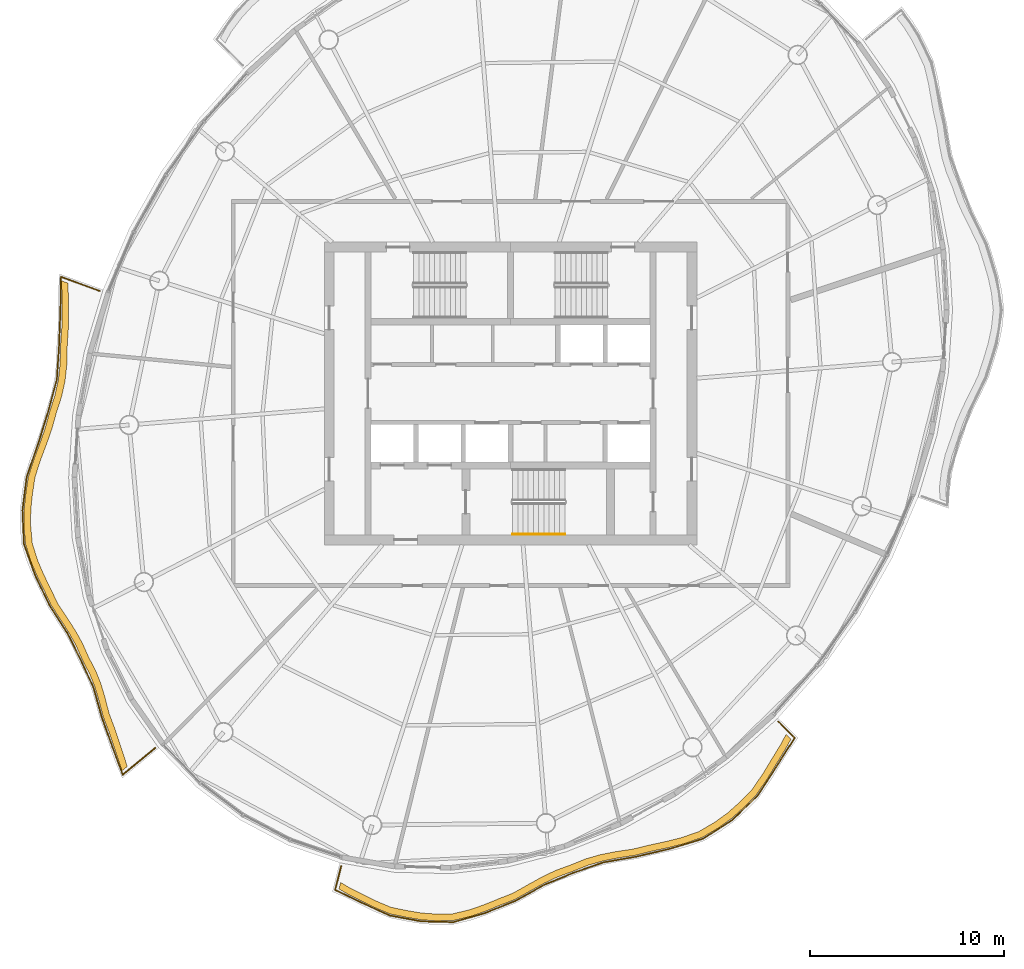
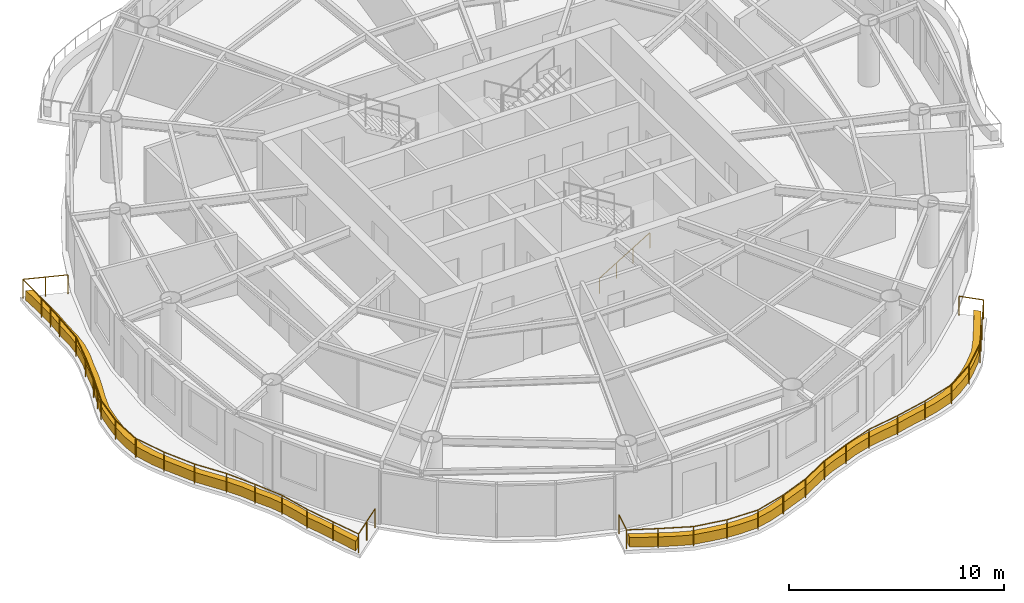
# One storey, part 12 of 14: 3 railings, 2 coverings.
"""IFC4 building model written with IfcOpenShell, lengths in metres."""

from ifc_helpers import new_model, si_unit, direction, frame, origin, origin_2d, place, context, subcontext, project, spatial, polyline, circle, outline, extrude, material, type_object, element, save


model = new_model("IFC4")

# Units and contexts
model_context = context("Model", 3, precision=1e-05, world=origin(), true_north=direction((0.0, 1.0)))
body_context = subcontext(model_context, "Body", "Model", "MODEL_VIEW")
ifc_project = project(units=[si_unit("LENGTHUNIT", "METRE"), si_unit("AREAUNIT", "SQUARE_METRE"), si_unit("VOLUMEUNIT", "CUBIC_METRE"), si_unit("PLANEANGLEUNIT", "RADIAN"), si_unit("MASSUNIT", "GRAM", prefix="KILO")], contexts=[model_context])

# Site, building, storey
site_placement = place(None, origin())
site = spatial("IfcSite", under=ifc_project, at=site_placement, CompositionType="ELEMENT")
building_placement = place(site_placement, origin())
building = spatial("IfcBuilding", under=site, at=building_placement, Name="Vermilion Reach Broadcast Tower", CompositionType="ELEMENT")
storey_placement = place(building_placement, frame((0.0, 0.0, 264.89990234375)))
storey = spatial("IfcBuildingStorey", under=building, at=storey_placement, Name="L65", CompositionType="ELEMENT", Elevation=264.89990234375)

# Coverings
ifc_material_1 = material(Name="Planting soil and greenery")
covering_type = type_object("IfcCoveringType", Name="Balcony PLANTER", PredefinedType="USERDEFINED", material=ifc_material_1)
placement = place(storey_placement, origin())
element("IfcCovering", 1, at=placement, inside=storey, type_object=covering_type, Name="PLANTER L65 group 2", ObjectType="PLANTER", PredefinedType="USERDEFINED", context=body_context, shape_type="SweptSolid", body=[
    extrude(outline(polyline([(-29.155029296875, 5.814453125), (-29.130615234375, 5.120849609375), (-29.132080078125, 4.246826171875), (-29.13818359375, 3.374267578125), (-29.201416015625, 2.445068359375), (-29.22265625, 1.539794921875), (-29.3115234375, 0.71875), (-29.48828125, -0.086181640625), (-29.761962890625, -0.9443359375), (-29.998779296875, -1.807861328125), (-30.277099609375, -2.5986328125), (-30.57373046875, -3.38818359375), (-30.866943359375, -4.305419921875), (-31.00244140625, -5.230224609375), (-31.0849609375, -6.0244140625), (-31.091796875, -6.814453125), (-31.00830078125, -7.7548828125), (-30.734375, -8.6435546875), (-30.427734375, -9.36767578125), (-30.07763671875, -10.08349609375), (-29.6865234375, -10.908935546875), (-29.202880859375, -11.65869140625), (-28.783203125, -12.3076171875), (-28.40966796875, -12.97216796875), (-28.0732421875, -13.729248046875), (-27.70458984375, -14.446044921875), (-27.432861328125, -15.126708984375), (-27.21826171875, -15.835693359375), (-27.00244140625, -16.662841796875), (-26.697998046875, -17.4521484375), (-26.464599609375, -18.162109375), (-26.224365234375, -18.8671875), (-26.033935546875, -19.451904296875), (-25.76416015625, -19.22900390625), (-25.93798828125, -18.666015625), (-26.17822265625, -17.9609375), (-26.41162109375, -17.250732421875), (-26.701904296875, -16.4833984375), (-26.9052734375, -15.67919921875), (-27.119873046875, -14.97021484375), (-27.3916015625, -14.28955078125), (-27.75, -13.59521484375), (-28.077392578125, -12.86181640625), (-28.450927734375, -12.197265625), (-28.870849609375, -11.548095703125), (-29.34765625, -10.8212890625), (-29.73388671875, -10.018798828125), (-30.083740234375, -9.302734375), (-30.390380859375, -8.578857421875), (-30.660888671875, -7.71240234375), (-30.7421875, -6.794189453125), (-30.7353515625, -6.00439453125), (-30.653076171875, -5.2099609375), (-30.51708984375, -4.306640625), (-30.224365234375, -3.41064453125), (-29.927734375, -2.62109375), (-29.6494140625, -1.830322265625), (-29.41455078125, -0.9873046875), (-29.14404296875, -0.1494140625), (-28.96728515625, 0.655517578125), (-28.87841796875, 1.4765625), (-28.861328125, 2.36279296875), (-28.80322265625, 3.27294921875), (-28.797119140625, 4.145263671875), (-28.795654296875, 5.019287109375), (-28.825927734375, 5.69482421875), (-29.155029296875, 5.814453125)])), origin(), (0.0, 0.0, 1.0), 0.550048828125),
])
element("IfcCovering", 2, at=placement, inside=storey, type_object=covering_type, Name="PLANTER L65 group 3", ObjectType="PLANTER", PredefinedType="USERDEFINED", context=body_context, shape_type="SweptSolid", body=[
    extrude(outline(polyline([(-14.8486328125, -25.541015625), (-14.370849609375, -25.81982421875), (-13.703369140625, -26.154052734375), (-13.035888671875, -26.489013671875), (-12.206787109375, -26.832275390625), (-11.31982421875, -27.011962890625), (-10.592041015625, -27.131591796875), (-9.86279296875, -27.184326171875), (-8.9599609375, -27.17138671875), (-8.05810546875, -26.957275390625), (-7.33447265625, -26.70556640625), (-6.61572265625, -26.412109375), (-5.783935546875, -26.085693359375), (-4.9853515625, -25.642822265625), (-4.29150390625, -25.2578125), (-3.584716796875, -24.9228515625), (-2.794677734375, -24.63671875), (-2.00048828125, -24.31591796875), (-1.239501953125, -24.095947265625), (-0.45166015625, -23.942138671875), (0.441162109375, -23.8046875), (1.34375, -23.58056640625), (2.16748046875, -23.40283203125), (2.9775390625, -23.2001953125), (3.882080078125, -22.884033203125), (4.714111328125, -22.394775390625), (5.383056640625, -21.91455078125), (6.000732421875, -21.362548828125), (6.674560546875, -20.677001953125), (7.236328125, -19.86669921875), (7.688720703125, -19.118896484375), (8.144775390625, -18.375244140625), (8.455078125, -17.815185546875), (8.206787109375, -17.568603515625), (7.910400390625, -18.115478515625), (7.454345703125, -18.859130859375), (7.001953125, -19.60693359375), (6.455078125, -20.404296875), (5.797119140625, -21.078125), (5.17919921875, -21.6298828125), (4.51025390625, -22.110107421875), (3.6953125, -22.587890625), (2.808349609375, -22.893798828125), (1.998291015625, -23.096435546875), (1.1748046875, -23.274169921875), (0.291015625, -23.488525390625), (-0.582275390625, -23.617431640625), (-1.3701171875, -23.77099609375), (-2.131103515625, -23.9912109375), (-2.904052734375, -24.304443359375), (-3.672607421875, -24.583984375), (-4.37939453125, -24.9189453125), (-5.0732421875, -25.303955078125), (-5.8486328125, -25.741943359375), (-6.656982421875, -26.064697265625), (-7.3759765625, -26.35791015625), (-8.099609375, -26.60986328125), (-8.9765625, -26.82177734375), (-9.8544921875, -26.83447265625), (-10.583740234375, -26.78173828125), (-11.3115234375, -26.661865234375), (-12.17236328125, -26.484130859375), (-12.975830078125, -26.144287109375), (-13.643310546875, -25.809326171875), (-14.310791015625, -25.47509765625), (-14.761962890625, -25.201904296875), (-14.8486328125, -25.541015625)])), origin(), (0.0, 0.0, 1.0), 0.550048828125),
])

# Railings
ifc_material_2 = material(Name="Stainless steel 316 balustrade", Category="steel")
railing_type_1 = type_object("IfcRailingType", Name="Balcony guard 1100", PredefinedType="BALUSTRADE", material=ifc_material_2)
railing_1_placement = place(storey_placement, frame((-27.185302734375, 5.288818359375, 0.0)))
element("IfcRailing", 3, at=railing_1_placement, inside=storey, type_object=railing_type_1, Name="Balcony guard L65 group 2", PredefinedType="BALUSTRADE", context=body_context, shape_type="SweptSolid", body=[
    extrude(circle(Radius=0.02490234375, at=origin_2d()), frame((0.0, 0.0, 1.0751953125), z_axis=(-0.939682446822, 0.342048094769, 0.0), x_axis=(-0.342048094769, -0.939682446822, 0.0)), (0.0, 0.0, 1.0), 2.12060546875),
    extrude(circle(Radius=0.02490234375, at=origin_2d()), frame((-1.99267578125, 0.725341796875, 1.0751953125), z_axis=(-0.017494522661, -0.999846959128, 0.0), x_axis=(0.999846959128, -0.017494522661, 0.0)), (0.0, 0.0, 1.0), 1.744384765625),
    extrude(circle(Radius=0.02490234375, at=origin_2d()), frame((-2.023193359375, -1.018798828125, 1.0751953125), z_axis=(-0.039174987968, -0.999232365527, 0.0), x_axis=(0.999232365527, -0.039174987968, 0.0)), (0.0, 0.0, 1.0), 1.807373046875),
    extrude(circle(Radius=0.02490234375, at=origin_2d()), frame((-2.093994140625, -2.82470703125, 1.0751953125), z_axis=(-0.064043151517, -0.997947130235, 0.0), x_axis=(0.997947130235, -0.064043151517, 0.0)), (0.0, 0.0, 1.0), 1.734619140625),
    extrude(circle(Radius=0.02490234375, at=origin_2d()), frame((-2.205078125, -4.5556640625, 1.0751953125), z_axis=(-0.261012245567, -0.965335489695, 0.0), x_axis=(0.965335489695, -0.261012245567, 0.0)), (0.0, 0.0, 1.0), 1.7275390625),
    extrude(circle(Radius=0.02490234375, at=origin_2d()), frame((-2.656005859375, -6.223388671875, 1.0751953125), z_axis=(-0.296850113314, -0.954924086106, 0.0), x_axis=(0.954924086106, -0.296850113314, 0.0)), (0.0, 0.0, 1.0), 1.737060546875),
    extrude(circle(Radius=0.02490234375, at=origin_2d()), frame((-3.171630859375, -7.882080078125, 1.0751953125), z_axis=(-0.325878491789, -0.945411660912, 0.0), x_axis=(0.945411660912, -0.325878491789, 0.0)), (0.0, 0.0, 1.0), 1.810791015625),
    extrude(circle(Radius=0.02490234375, at=origin_2d()), frame((-3.76171875, -9.593994140625, 1.0751953125), z_axis=(-0.125331609765, -0.992114906447, 0.0), x_axis=(0.992114906447, -0.125331609765, 0.0)), (0.0, 0.0, 1.0), 1.737548828125),
    extrude(circle(Radius=0.02490234375, at=origin_2d()), frame((-3.9794921875, -11.31787109375, 1.0751953125), z_axis=(0.044406846996, -0.999013529408, 0.0), x_axis=(0.999013529408, 0.044406846996, 0.0)), (0.0, 0.0, 1.0), 1.7373046875),
    extrude(circle(Radius=0.02490234375, at=origin_2d()), frame((-3.90234375, -13.053466796875, 1.0751953125), z_axis=(0.338171210766, -0.941084604172, 0.0), x_axis=(0.941084604172, 0.338171210766, 0.0)), (0.0, 0.0, 1.0), 1.718994140625),
    extrude(circle(Radius=0.02490234375, at=origin_2d()), frame((-3.321044921875, -14.671142578125, 1.0751953125), z_axis=(0.432754199195, -0.90151195393, 0.0), x_axis=(0.90151195393, 0.432754199195, 0.0)), (0.0, 0.0, 1.0), 1.715576171875),
    extrude(circle(Radius=0.02490234375, at=origin_2d()), frame((-2.57861328125, -16.2177734375, 1.0751953125), z_axis=(0.541680678964, -0.840584345581, 0.0), x_axis=(0.840584345581, 0.541680678964, 0.0)), (0.0, 0.0, 1.0), 1.67041015625),
    extrude(circle(Radius=0.02490234375, at=origin_2d()), frame((-1.673828125, -17.621826171875, 1.0751953125), z_axis=(0.446478500492, -0.894794361068, 0.0), x_axis=(0.894794361068, 0.446478500492, 0.0)), (0.0, 0.0, 1.0), 1.594482421875),
    extrude(circle(Radius=0.02490234375, at=origin_2d()), frame((-0.9619140625, -19.048583984375, 1.0751953125), z_axis=(0.416638364553, -0.909072314606, 0.0), x_axis=(0.909072314606, 0.416638364553, 0.0)), (0.0, 0.0, 1.0), 1.54296875),
    extrude(circle(Radius=0.02490234375, at=origin_2d()), frame((-0.319091796875, -20.451171875, 1.0751953125), z_axis=(0.270489465653, -0.962722934686, 0.0), x_axis=(0.962722934686, 0.270489465653, 0.0)), (0.0, 0.0, 1.0), 1.60107421875),
    extrude(circle(Radius=0.02490234375, at=origin_2d()), frame((0.114013671875, -21.99267578125, 1.0751953125), z_axis=(0.338589671066, -0.94093412875, 0.0), x_axis=(0.94093412875, 0.338589671066, 0.0)), (0.0, 0.0, 1.0), 1.5986328125),
    extrude(circle(Radius=0.02490234375, at=origin_2d()), frame((0.6552734375, -23.496826171875, 1.0751953125), z_axis=(0.349488675227, -0.936940588238, 0.0), x_axis=(0.936940588238, 0.349488675227, 0.0)), (0.0, 0.0, 1.0), 1.538818359375),
    extrude(circle(Radius=0.02490234375, at=origin_2d()), frame((1.193115234375, -24.938720703125, 1.0751953125), z_axis=(0.771344227871, 0.636418166091, 0.0), x_axis=(-0.636418166091, 0.771344227871, 0.0)), (0.0, 0.0, 1.0), 2.166015625),
    extrude(circle(Radius=0.02490234375, at=origin_2d()), origin(), (0.0, 0.0, 1.0), 1.050048828125),
    extrude(circle(Radius=0.02490234375, at=origin_2d()), frame((-0.996337890625, 0.36279296875, 0.0)), (0.0, 0.0, 1.0), 1.050048828125),
    extrude(circle(Radius=0.02490234375, at=origin_2d()), frame((-1.99267578125, 0.725341796875, 0.0)), (0.0, 0.0, 1.0), 1.050048828125),
    extrude(circle(Radius=0.02490234375, at=origin_2d()), frame((-2.023193359375, -1.018798828125, 0.0)), (0.0, 0.0, 1.0), 1.050048828125),
    extrude(circle(Radius=0.02490234375, at=origin_2d()), frame((-2.05859375, -1.921875, 0.0)), (0.0, 0.0, 1.0), 1.050048828125),
    extrude(circle(Radius=0.02490234375, at=origin_2d()), frame((-2.093994140625, -2.82470703125, 0.0)), (0.0, 0.0, 1.0), 1.050048828125),
    extrude(circle(Radius=0.02490234375, at=origin_2d()), frame((-2.205078125, -4.5556640625, 0.0)), (0.0, 0.0, 1.0), 1.050048828125),
    extrude(circle(Radius=0.02490234375, at=origin_2d()), frame((-2.656005859375, -6.223388671875, 0.0)), (0.0, 0.0, 1.0), 1.050048828125),
    extrude(circle(Radius=0.02490234375, at=origin_2d()), frame((-3.171630859375, -7.882080078125, 0.0)), (0.0, 0.0, 1.0), 1.050048828125),
    extrude(circle(Radius=0.02490234375, at=origin_2d()), frame((-3.466796875, -8.738037109375, 0.0)), (0.0, 0.0, 1.0), 1.050048828125),
    extrude(circle(Radius=0.02490234375, at=origin_2d()), frame((-3.76171875, -9.593994140625, 0.0)), (0.0, 0.0, 1.0), 1.050048828125),
    extrude(circle(Radius=0.02490234375, at=origin_2d()), frame((-3.9794921875, -11.31787109375, 0.0)), (0.0, 0.0, 1.0), 1.050048828125),
    extrude(circle(Radius=0.02490234375, at=origin_2d()), frame((-3.90234375, -13.053466796875, 0.0)), (0.0, 0.0, 1.0), 1.050048828125),
    extrude(circle(Radius=0.02490234375, at=origin_2d()), frame((-3.321044921875, -14.671142578125, 0.0)), (0.0, 0.0, 1.0), 1.050048828125),
    extrude(circle(Radius=0.02490234375, at=origin_2d()), frame((-2.57861328125, -16.2177734375, 0.0)), (0.0, 0.0, 1.0), 1.050048828125),
    extrude(circle(Radius=0.02490234375, at=origin_2d()), frame((-1.673828125, -17.621826171875, 0.0)), (0.0, 0.0, 1.0), 1.050048828125),
    extrude(circle(Radius=0.02490234375, at=origin_2d()), frame((-0.9619140625, -19.048583984375, 0.0)), (0.0, 0.0, 1.0), 1.050048828125),
    extrude(circle(Radius=0.02490234375, at=origin_2d()), frame((-0.319091796875, -20.451171875, 0.0)), (0.0, 0.0, 1.0), 1.050048828125),
    extrude(circle(Radius=0.02490234375, at=origin_2d()), frame((0.114013671875, -21.99267578125, 0.0)), (0.0, 0.0, 1.0), 1.050048828125),
    extrude(circle(Radius=0.02490234375, at=origin_2d()), frame((0.6552734375, -23.496826171875, 0.0)), (0.0, 0.0, 1.0), 1.050048828125),
    extrude(circle(Radius=0.02490234375, at=origin_2d()), frame((1.193115234375, -24.938720703125, 0.0)), (0.0, 0.0, 1.0), 1.050048828125),
    extrude(circle(Radius=0.02490234375, at=origin_2d()), frame((2.0283203125, -24.24951171875, 0.0)), (0.0, 0.0, 1.0), 1.050048828125),
    extrude(circle(Radius=0.02490234375, at=origin_2d()), frame((2.86376953125, -23.560302734375, 0.0)), (0.0, 0.0, 1.0), 1.050048828125),
])
railing_2_placement = place(storey_placement, frame((-14.7314453125, -24.357421875, 0.0)))
element("IfcRailing", 4, at=railing_2_placement, inside=storey, type_object=railing_type_1, Name="Balcony guard L65 group 3", PredefinedType="BALUSTRADE", context=body_context, shape_type="SweptSolid", body=[
    extrude(circle(Radius=0.02490234375, at=origin_2d()), frame((0.0, 0.0, 1.0751953125), z_axis=(-0.247463898895, -0.968897114633, 0.0), x_axis=(0.968897114633, -0.247463898895, 0.0)), (0.0, 0.0, 1.0), 1.269775390625),
    extrude(circle(Radius=0.02490234375, at=origin_2d()), frame((-0.314208984375, -1.230224609375, 1.0751953125), z_axis=(0.899524861907, -0.436869571852, 0.0), x_axis=(0.436869571852, 0.899524861907, 0.0)), (0.0, 0.0, 1.0), 1.47705078125),
    extrude(circle(Radius=0.02490234375, at=origin_2d()), frame((1.014404296875, -1.87548828125, 1.0751953125), z_axis=(0.911272025513, -0.411804924106, 0.0), x_axis=(0.411804924106, 0.911272025513, 0.0)), (0.0, 0.0, 1.0), 1.648681640625),
    extrude(circle(Radius=0.02490234375, at=origin_2d()), frame((2.516845703125, -2.554443359375, 1.0751953125), z_axis=(0.983341875048, -0.18176566446, 0.0), x_axis=(0.18176566446, 0.983341875048, 0.0)), (0.0, 0.0, 1.0), 1.64794921875),
    extrude(circle(Radius=0.02490234375, at=origin_2d()), frame((4.137451171875, -2.85400390625, 1.0751953125), z_axis=(0.99970498954, -0.024288554672, 0.0), x_axis=(0.024288554672, 0.99970498954, 0.0)), (0.0, 0.0, 1.0), 1.638427734375),
    extrude(circle(Radius=0.02490234375, at=origin_2d()), frame((5.775390625, -2.893798828125, 1.0751953125), z_axis=(0.961480490286, 0.274873183123, 0.0), x_axis=(-0.274873183123, 0.961480490286, 0.0)), (0.0, 0.0, 1.0), 1.696533203125),
    extrude(circle(Radius=0.02490234375, at=origin_2d()), frame((7.406494140625, -2.427490234375, 1.0751953125), z_axis=(0.928838101876, 0.370485870856, 0.0), x_axis=(-0.370485870856, 0.928838101876, 0.0)), (0.0, 0.0, 1.0), 1.675048828125),
    extrude(circle(Radius=0.02490234375, at=origin_2d()), frame((8.96240234375, -1.806884765625, 1.0751953125), z_axis=(0.874902919292, 0.484298339677, 0.0), x_axis=(-0.484298339677, 0.874902919292, 0.0)), (0.0, 0.0, 1.0), 1.7119140625),
    extrude(circle(Radius=0.02490234375, at=origin_2d()), frame((10.460205078125, -0.977783203125, 1.0751953125), z_axis=(0.923817266904, 0.382833720263, 0.0), x_axis=(-0.382833720263, 0.923817266904, 0.0)), (0.0, 0.0, 1.0), 1.62548828125),
    extrude(circle(Radius=0.02490234375, at=origin_2d()), frame((11.9619140625, -0.35546875, 1.0751953125), z_axis=(0.944462888825, 0.328618093889, 0.0), x_axis=(-0.328618093889, 0.944462888825, 0.0)), (0.0, 0.0, 1.0), 1.651611328125),
    extrude(circle(Radius=0.02490234375, at=origin_2d()), frame((13.521728515625, 0.187255859375, 1.0751953125), z_axis=(0.985196036108, 0.171431532797, 0.0), x_axis=(-0.171431532797, 0.985196036108, 0.0)), (0.0, 0.0, 1.0), 1.71044921875),
    extrude(circle(Radius=0.02490234375, at=origin_2d()), frame((15.206787109375, 0.48046875, 1.0751953125), z_axis=(0.973813844544, 0.227346863129, 0.0), x_axis=(-0.227346863129, 0.973813844544, 0.0)), (0.0, 0.0, 1.0), 1.77734375),
    extrude(circle(Radius=0.02490234375, at=origin_2d()), frame((16.9375, 0.884521484375, 1.0751953125), z_axis=(0.956961503371, 0.290214887741, 0.0), x_axis=(-0.290214887741, 0.956961503371, 0.0)), (0.0, 0.0, 1.0), 1.796142578125),
    extrude(circle(Radius=0.02490234375, at=origin_2d()), frame((18.65625, 1.40576171875, 1.0751953125), z_axis=(0.839972091604, 0.542629602331, 0.0), x_axis=(-0.542629602331, 0.839972091604, 0.0)), (0.0, 0.0, 1.0), 1.79150390625),
    extrude(circle(Radius=0.02490234375, at=origin_2d()), frame((20.1611328125, 2.3779296875, 1.0751953125), z_axis=(0.722260248313, 0.691621380313, 0.0), x_axis=(-0.691621380313, 0.722260248313, 0.0)), (0.0, 0.0, 1.0), 1.79296875),
    extrude(circle(Radius=0.02490234375, at=origin_2d()), frame((21.4560546875, 3.617919921875, 1.0751953125), z_axis=(0.54602399298, 0.837769538173, 0.0), x_axis=(-0.837769538173, 0.54602399298, 0.0)), (0.0, 0.0, 1.0), 1.863525390625),
    extrude(circle(Radius=0.02490234375, at=origin_2d()), frame((22.4736328125, 5.17919921875, 1.0751953125), z_axis=(0.534797593348, 0.84498019749, 0.0), x_axis=(-0.84498019749, 0.534797593348, 0.0)), (0.0, 0.0, 1.0), 1.689208984375),
    extrude(circle(Radius=0.02490234375, at=origin_2d()), frame((23.376953125, 6.6064453125, 1.0751953125), z_axis=(-0.709578439617, 0.704626452832, 0.0), x_axis=(-0.704626452832, -0.709578439617, 0.0)), (0.0, 0.0, 1.0), 1.183349609375),
    extrude(circle(Radius=0.02490234375, at=origin_2d()), origin(), (0.0, 0.0, 1.0), 1.050048828125),
    extrude(circle(Radius=0.02490234375, at=origin_2d()), frame((-0.314208984375, -1.230224609375, 0.0)), (0.0, 0.0, 1.0), 1.050048828125),
    extrude(circle(Radius=0.02490234375, at=origin_2d()), frame((1.014404296875, -1.87548828125, 0.0)), (0.0, 0.0, 1.0), 1.050048828125),
    extrude(circle(Radius=0.02490234375, at=origin_2d()), frame((2.516845703125, -2.554443359375, 0.0)), (0.0, 0.0, 1.0), 1.050048828125),
    extrude(circle(Radius=0.02490234375, at=origin_2d()), frame((4.137451171875, -2.85400390625, 0.0)), (0.0, 0.0, 1.0), 1.050048828125),
    extrude(circle(Radius=0.02490234375, at=origin_2d()), frame((5.775390625, -2.893798828125, 0.0)), (0.0, 0.0, 1.0), 1.050048828125),
    extrude(circle(Radius=0.02490234375, at=origin_2d()), frame((7.406494140625, -2.427490234375, 0.0)), (0.0, 0.0, 1.0), 1.050048828125),
    extrude(circle(Radius=0.02490234375, at=origin_2d()), frame((8.96240234375, -1.806884765625, 0.0)), (0.0, 0.0, 1.0), 1.050048828125),
    extrude(circle(Radius=0.02490234375, at=origin_2d()), frame((10.460205078125, -0.977783203125, 0.0)), (0.0, 0.0, 1.0), 1.050048828125),
    extrude(circle(Radius=0.02490234375, at=origin_2d()), frame((11.9619140625, -0.35546875, 0.0)), (0.0, 0.0, 1.0), 1.050048828125),
    extrude(circle(Radius=0.02490234375, at=origin_2d()), frame((13.521728515625, 0.187255859375, 0.0)), (0.0, 0.0, 1.0), 1.050048828125),
    extrude(circle(Radius=0.02490234375, at=origin_2d()), frame((15.206787109375, 0.48046875, 0.0)), (0.0, 0.0, 1.0), 1.050048828125),
    extrude(circle(Radius=0.02490234375, at=origin_2d()), frame((16.9375, 0.884521484375, 0.0)), (0.0, 0.0, 1.0), 1.050048828125),
    extrude(circle(Radius=0.02490234375, at=origin_2d()), frame((18.65625, 1.40576171875, 0.0)), (0.0, 0.0, 1.0), 1.050048828125),
    extrude(circle(Radius=0.02490234375, at=origin_2d()), frame((20.1611328125, 2.3779296875, 0.0)), (0.0, 0.0, 1.0), 1.050048828125),
    extrude(circle(Radius=0.02490234375, at=origin_2d()), frame((21.4560546875, 3.617919921875, 0.0)), (0.0, 0.0, 1.0), 1.050048828125),
    extrude(circle(Radius=0.02490234375, at=origin_2d()), frame((21.96484375, 4.3984375, 0.0)), (0.0, 0.0, 1.0), 1.050048828125),
    extrude(circle(Radius=0.02490234375, at=origin_2d()), frame((22.4736328125, 5.17919921875, 0.0)), (0.0, 0.0, 1.0), 1.050048828125),
    extrude(circle(Radius=0.02490234375, at=origin_2d()), frame((23.376953125, 6.6064453125, 0.0)), (0.0, 0.0, 1.0), 1.050048828125),
    extrude(circle(Radius=0.02490234375, at=origin_2d()), frame((22.537353515625, 7.440185546875, 0.0)), (0.0, 0.0, 1.0), 1.050048828125),
])
ifc_material_3 = material(Name="Stainless steel", Category="steel")
railing_type_2 = type_object("IfcRailingType", Name="Stair handrail", PredefinedType="HANDRAIL", material=ifc_material_3)
railing_3_placement = place(storey_placement, frame((-5.89990234375, -7.25, 0.163818359375)))
element("IfcRailing", 5, at=railing_3_placement, inside=storey, type_object=railing_type_2, Name="L65 ST3 stair handrail 1", PredefinedType="HANDRAIL", context=body_context, shape_type="SweptSolid", body=[
    extrude(circle(Radius=0.02392578125, at=origin_2d()), frame((0.0, 0.0, 0.8759765625), z_axis=(0.855212373127, 0.0, 0.518277721738), x_axis=(0.0, 1.0, 0.0)), (0.0, 0.0, 1.0), 3.156982421875),
    extrude(circle(Radius=0.02099609375, at=origin_2d()), origin(), (0.0, 0.0, 1.0), 0.851806640625),
    extrude(circle(Radius=0.02099609375, at=origin_2d()), frame((0.89990234375, 0.0, 0.54541015625)), (0.0, 0.0, 1.0), 0.851806640625),
    extrude(circle(Radius=0.02099609375, at=origin_2d()), frame((1.800048828125, 0.0, 1.0908203125)), (0.0, 0.0, 1.0), 0.851806640625),
    extrude(circle(Radius=0.02099609375, at=origin_2d()), frame((2.699951171875, 0.0, 1.63623046875)), (0.0, 0.0, 1.0), 0.851806640625),
])

save(model, "model.ifc")
